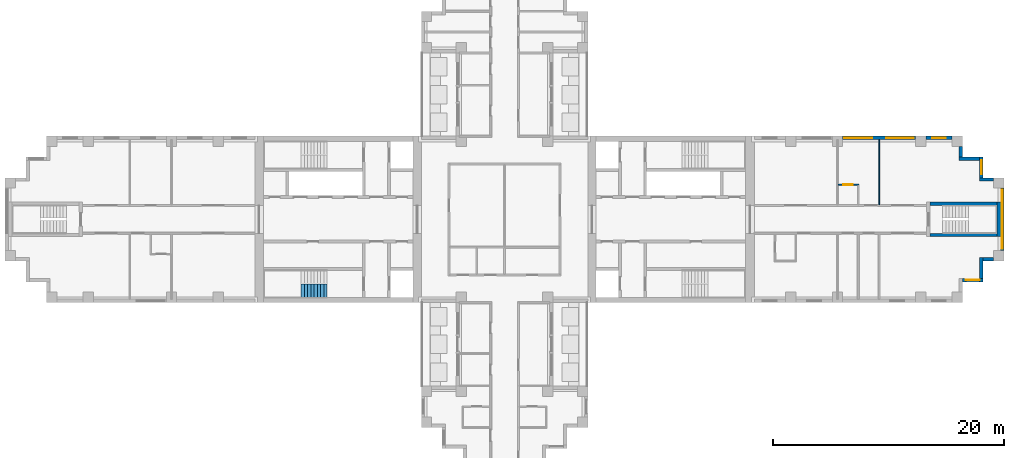
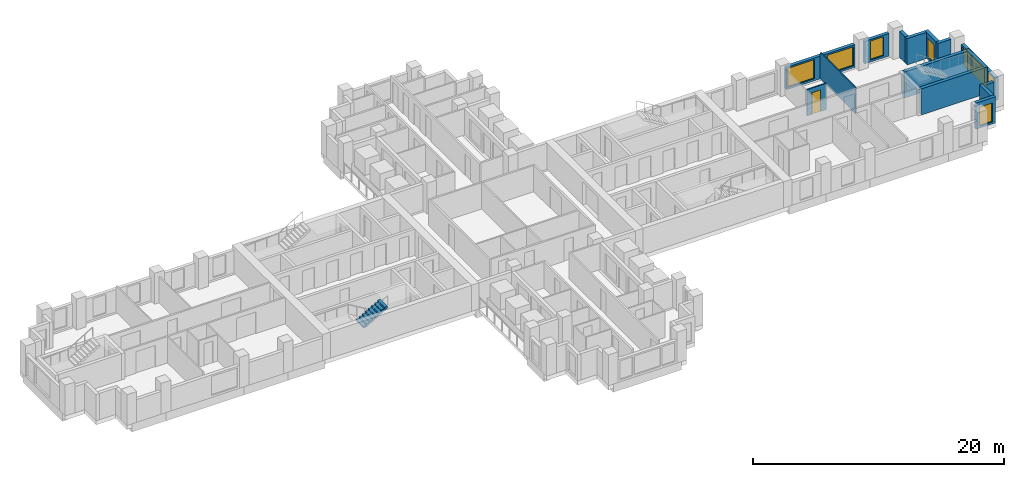
# One storey, part 9 of 12: 15 walls, 8 windows, 1 door, 1 stair flight, 9 openings, 1 element without a shape of its own.
"""IFC4 building model written with IfcOpenShell, lengths in metres."""

from ifc_helpers import new_model, si_unit, direction, frame, frame_2d, origin, place, context, subcontext, project, spatial, polyline, rectangle, outline, extrude, material, layer, layer_set, type_object, element, fill, aggregate, save


model = new_model("IFC4")

# Units and contexts
model_context = context("Model", 3, precision=1e-05, world=origin(), true_north=direction((0.0, 1.0)))
body_context = subcontext(model_context, "Body", "Model", "MODEL_VIEW")
ifc_project = project(units=[si_unit("LENGTHUNIT", "METRE"), si_unit("AREAUNIT", "SQUARE_METRE"), si_unit("VOLUMEUNIT", "CUBIC_METRE"), si_unit("PLANEANGLEUNIT", "RADIAN"), si_unit("MASSUNIT", "GRAM", prefix="KILO")], contexts=[model_context])

# Site, building, storey
site_placement = place(None, origin())
site = spatial("IfcSite", under=ifc_project, at=site_placement, CompositionType="ELEMENT")
building_placement = place(site_placement, origin())
building = spatial("IfcBuilding", under=site, at=building_placement, Name="Fustian Cross Tower", CompositionType="ELEMENT")
storey_placement = place(building_placement, frame((0.0, 0.0, 159.300048828125)))
storey = spatial("IfcBuildingStorey", under=building, at=storey_placement, Name="L50", CompositionType="ELEMENT", Elevation=159.300048828125)

# Wall, opening, door
ifc_material_1 = material(Name="Plasterboard on steel stud", Category="steel")
ifc_layer_1 = layer(ifc_material_1, 0.10009765625)
ifc_layer_set_1 = layer_set([ifc_layer_1], Name="Plasterboard on steel stud")
wall_type_1 = type_object("IfcWallType", Name="PARTITION 100 STUD", PredefinedType="PARTITIONING", material=ifc_layer_set_1)
wall_1_placement = place(storey_placement, frame((28.862548828125, 3.0, 0.0), z_axis=(0.0, 0.0, 1.0), x_axis=(1.0, 0.0, 0.0)))
wall_1 = element("IfcWall", 1, at=wall_1_placement, inside=storey, type_object=wall_type_1, Name="Partition 53", PredefinedType="PARTITIONING", context=body_context, shape_type="SweptSolid", body=[
    extrude(rectangle(XDim=1.787353515625, YDim=0.10009765625, at=frame_2d((0.8935546875, 0.0))), origin(), (0.0, 0.0, 1.0), 2.550048828125),
])
opening_1_placement = place(wall_1_placement, frame((0.4375, 0.0, 0.0)))
opening_1 = element("IfcOpeningElement", 2, at=opening_1_placement, cuts=wall_1, Name="Opening D22007", PredefinedType="OPENING", context=body_context, shape_type="SweptSolid", body=[
    extrude(rectangle(XDim=0.800048828125, YDim=2.10009765625, at=frame_2d((0.39990234375, 1.050048828125))), frame((0.0, 0.06005859375, 0.0), z_axis=(0.0, -1.0, 0.0), x_axis=(1.0, 0.0, 0.0)), (0.0, 0.0, 1.0), 0.1201171875),
])
ifc_material_2 = material(Name="Painted timber", Category="wood")
door_type = type_object("IfcDoorType", Name="SWING DOOR 800", OperationType="SINGLE_SWING_LEFT", PredefinedType="DOOR", material=ifc_material_2)
door_placement = place(opening_1_placement, frame((0.800048828125, 0.0, 0.0), z_axis=(0.0, 0.0, 1.0), x_axis=(-1.0, 0.0, 0.0)))
door = element("IfcDoor", 3, at=door_placement, inside=storey, type_object=door_type, Name="Door D22007", OperationType="SINGLE_SWING_LEFT", OverallHeight=2.10009765625, OverallWidth=0.800048828125, PredefinedType="DOOR", context=body_context, shape_type="SweptSolid", body=[
    extrude(rectangle(XDim=0.800048828125, YDim=2.10009765625, at=frame_2d((0.39990234375, 1.050048828125))), frame((0.0, 0.02490234375, 0.0), z_axis=(0.0, -1.0, 0.0), x_axis=(1.0, 0.0, 0.0)), (0.0, 0.0, 1.0), 0.050048828125),
])
fill(opening_1, door)

# Walls
wall_2_placement = place(storey_placement, frame((32.39990234375, 1.27490234375, 0.0), z_axis=(0.0, 0.0, 1.0), x_axis=(0.0, 1.0, 0.0)))
element("IfcWall", 4, at=wall_2_placement, inside=storey, type_object=wall_type_1, Name="Partition 57", PredefinedType="PARTITIONING", context=body_context, shape_type="SweptSolid", body=[
    extrude(rectangle(XDim=5.625, YDim=0.10009765625, at=frame_2d((2.8125, 0.0))), origin(), (0.0, 0.0, 1.0), 2.550048828125),
])
ifc_material_3 = material(Name="Concrete C50/60", Category="concrete")
ifc_layer_2 = layer(ifc_material_3, 0.300048828125)
ifc_layer_set_2 = layer_set([ifc_layer_2], Name="Concrete C50/60")
wall_type_2 = type_object("IfcWallType", Name="STAIR ENCLOSURE WALL 300 C50/60", PredefinedType="SHEAR", material=ifc_layer_set_2)
wall_3_placement = place(storey_placement, frame((42.75, -1.5, 0.0), z_axis=(0.0, 0.0, 1.0), x_axis=(0.0, 1.0, 0.0)))
element("IfcWall", 5, at=wall_3_placement, inside=storey, type_object=wall_type_2, Name="Stair enclosure wall", PredefinedType="SHEAR", context=body_context, shape_type="SweptSolid", body=[
    extrude(rectangle(XDim=3.0, YDim=0.300048828125, at=frame_2d((1.5, 0.0))), origin(), (0.0, 0.0, 1.0), 2.550048828125),
])
for number, where, z_axis, x_axis, name in (
    (6, (36.800048828125, -1.35009765625, 0.0), (0.0, 0.0, 1.0), (1.0, 0.0, 0.0), "Stair enclosure wall"),
    (7, (36.800048828125, 1.35009765625, 0.0), (0.0, 0.0, 1.0), (1.0, 0.0, 0.0), "Stair enclosure wall"),
):
    element("IfcWall", number, at=place(storey_placement, frame(where, z_axis=z_axis, x_axis=x_axis)), inside=storey, type_object=wall_type_2, Name=name, PredefinedType="SHEAR", context=body_context, shape_type="SweptSolid", body=[
        extrude(rectangle(XDim=5.800048828125, YDim=0.300048828125, at=frame_2d((2.89990234375, 0.0))), origin(), (0.0, 0.0, 1.0), 2.550048828125),
    ])

# Wall, opening, window
ifc_material_4 = material(Name="Dark aluminium cladding on insulated backing wall", Category="aluminium")
ifc_layer_3 = layer(ifc_material_4, 0.300048828125)
ifc_layer_set_3 = layer_set([ifc_layer_3], Name="Dark aluminium cladding on insulated backing wall")
wall_type_3 = type_object("IfcWallType", Name="XW1 EXTERNAL WALL 300", PredefinedType="SOLIDWALL", material=ifc_layer_set_3)
wall_4_placement = place(storey_placement, frame((39.60009765625, -5.25, 0.0), z_axis=(0.0, 0.0, 1.0), x_axis=(1.0, 0.0, 0.0)))
wall_4 = element("IfcWall", 8, at=wall_4_placement, inside=storey, type_object=wall_type_3, Name="External wall", PredefinedType="SOLIDWALL", context=body_context, shape_type="SweptSolid", body=[
    extrude(rectangle(XDim=1.7998046875, YDim=0.300048828125, at=frame_2d((0.89990234375, 0.0))), origin(), (0.0, 0.0, 1.0), 2.550048828125),
])
opening_2_placement = place(wall_4_placement, frame((0.300048828125, 0.0, 0.199951171875)))
opening_2 = element("IfcOpeningElement", 9, at=opening_2_placement, cuts=wall_4, Name="Opening WN3", PredefinedType="OPENING", context=body_context, shape_type="SweptSolid", body=[
    extrude(rectangle(XDim=1.199951171875, YDim=1.85009765625, at=frame_2d((0.60009765625, 0.925048828125))), frame((0.0, 0.159912109375, 0.0), z_axis=(0.0, -1.0, 0.0), x_axis=(1.0, 0.0, 0.0)), (0.0, 0.0, 1.0), 0.320068359375),
])
ifc_material_5 = material(Name="Dark anodised aluminium and double glazing", Category="aluminium")
window_type_1 = type_object("IfcWindowType", Name="WN3 WINDOW 1200X1850", PartitioningType="SINGLE_PANEL", PredefinedType="WINDOW", material=ifc_material_5)
window_1_placement = place(opening_2_placement, origin())
window_1 = element("IfcWindow", 10, at=window_1_placement, inside=storey, type_object=window_type_1, Name="Window", OverallHeight=1.85009765625, OverallWidth=1.199951171875, PartitioningType="SINGLE_PANEL", PredefinedType="WINDOW", context=body_context, shape_type="SweptSolid", body=[
    extrude(rectangle(XDim=1.199951171875, YDim=1.85009765625, at=frame_2d((0.60009765625, 0.925048828125))), frame((0.0, 0.030029296875, 0.0), z_axis=(0.0, -1.0, 0.0), x_axis=(1.0, 0.0, 0.0)), (0.0, 0.0, 1.0), 0.06005859375),
])
fill(opening_2, window_1)

# Walls
wall_5_placement = place(storey_placement, frame((41.25, -5.10009765625, 0.0), z_axis=(0.0, 0.0, 1.0), x_axis=(0.0, 1.0, 0.0)))
element("IfcWall", 11, at=wall_5_placement, inside=storey, type_object=wall_type_3, Name="External wall", PredefinedType="SOLIDWALL", context=body_context, shape_type="SweptSolid", body=[
    extrude(rectangle(XDim=1.800048828125, YDim=0.300048828125, at=frame_2d((0.89990234375, 0.0))), origin(), (0.0, 0.0, 1.0), 2.550048828125),
])
wall_6_placement = place(storey_placement, frame((41.39990234375, -3.449951171875, 0.0), z_axis=(0.0, 0.0, 1.0), x_axis=(1.0, 0.0, 0.0)))
element("IfcWall", 12, at=wall_6_placement, inside=storey, type_object=wall_type_3, Name="External wall", PredefinedType="SOLIDWALL", context=body_context, shape_type="SweptSolid", body=[
    extrude(rectangle(XDim=0.900146484375, YDim=0.300048828125, at=frame_2d((0.4501953125, 0.0))), origin(), (0.0, 0.0, 1.0), 2.550048828125),
])

# Wall, openings, windows
wall_7_placement = place(storey_placement, frame((43.050048828125, -2.699951171875, 0.0), z_axis=(0.0, 0.0, 1.0), x_axis=(0.0, 1.0, 0.0)))
wall_7 = element("IfcWall", 13, at=wall_7_placement, inside=storey, type_object=wall_type_3, Name="External wall", PredefinedType="SOLIDWALL", context=body_context, shape_type="SweptSolid", body=[
    extrude(rectangle(XDim=5.39990234375, YDim=0.300048828125, at=frame_2d((2.699951171875, 0.0))), origin(), (0.0, 0.0, 1.0), 2.199951171875),
])
opening_3_placement = place(wall_7_placement, frame((1.5, 0.0, 0.199951171875)))
opening_3 = element("IfcOpeningElement", 14, at=opening_3_placement, cuts=wall_7, Name="Opening WN1", PredefinedType="OPENING", context=body_context, shape_type="SweptSolid", body=[
    extrude(rectangle(XDim=2.39990234375, YDim=1.85009765625, at=frame_2d((1.199951171875, 0.925048828125))), frame((0.0, 0.159912109375, 0.0), z_axis=(0.0, -1.0, 0.0), x_axis=(1.0, 0.0, 0.0)), (0.0, 0.0, 1.0), 0.320068359375),
])
opening_4_placement = place(wall_7_placement, frame((0.14990234375, 0.0, 0.199951171875)))
opening_4 = element("IfcOpeningElement", 15, at=opening_4_placement, cuts=wall_7, Name="Opening WN3", PredefinedType="OPENING", context=body_context, shape_type="SweptSolid", body=[
    extrude(rectangle(XDim=1.199951171875, YDim=1.85009765625, at=frame_2d((0.60009765625, 0.925048828125))), frame((0.0, 0.159912109375, 0.0), z_axis=(0.0, -1.0, 0.0), x_axis=(1.0, 0.0, 0.0)), (0.0, 0.0, 1.0), 0.320068359375),
])
opening_5_placement = place(wall_7_placement, frame((4.050048828125, 0.0, 0.199951171875)))
opening_5 = element("IfcOpeningElement", 16, at=opening_5_placement, cuts=wall_7, Name="Opening WN3", PredefinedType="OPENING", context=body_context, shape_type="SweptSolid", body=[
    extrude(rectangle(XDim=1.199951171875, YDim=1.85009765625, at=frame_2d((0.60009765625, 0.925048828125))), frame((0.0, 0.159912109375, 0.0), z_axis=(0.0, -1.0, 0.0), x_axis=(1.0, 0.0, 0.0)), (0.0, 0.0, 1.0), 0.320068359375),
])
ifc_material_6 = material(Name="Dark anodised aluminium and double glazing", Category="aluminium")
window_type_2 = type_object("IfcWindowType", Name="WN1 WINDOW 2400X1850", PartitioningType="SINGLE_PANEL", PredefinedType="WINDOW", material=ifc_material_6)
window_2_placement = place(opening_3_placement, origin())
window_2 = element("IfcWindow", 17, at=window_2_placement, inside=storey, type_object=window_type_2, Name="Window", OverallHeight=1.85009765625, OverallWidth=2.39990234375, PartitioningType="SINGLE_PANEL", PredefinedType="WINDOW", context=body_context, shape_type="SweptSolid", body=[
    extrude(rectangle(XDim=2.39990234375, YDim=1.85009765625, at=frame_2d((1.199951171875, 0.925048828125))), frame((0.0, 0.030029296875, 0.0), z_axis=(0.0, -1.0, 0.0), x_axis=(1.0, 0.0, 0.0)), (0.0, 0.0, 1.0), 0.06005859375),
])
fill(opening_3, window_2)
window_3_placement = place(opening_4_placement, origin())
window_3 = element("IfcWindow", 18, at=window_3_placement, inside=storey, type_object=window_type_1, Name="Window", OverallHeight=1.85009765625, OverallWidth=1.199951171875, PartitioningType="SINGLE_PANEL", PredefinedType="WINDOW", context=body_context, shape_type="SweptSolid", body=[
    extrude(rectangle(XDim=1.199951171875, YDim=1.85009765625, at=frame_2d((0.60009765625, 0.925048828125))), frame((0.0, 0.030029296875, 0.0), z_axis=(0.0, -1.0, 0.0), x_axis=(1.0, 0.0, 0.0)), (0.0, 0.0, 1.0), 0.06005859375),
])
fill(opening_4, window_3)
window_4_placement = place(opening_5_placement, origin())
window_4 = element("IfcWindow", 19, at=window_4_placement, inside=storey, type_object=window_type_1, Name="Window", OverallHeight=1.85009765625, OverallWidth=1.199951171875, PartitioningType="SINGLE_PANEL", PredefinedType="WINDOW", context=body_context, shape_type="SweptSolid", body=[
    extrude(rectangle(XDim=1.199951171875, YDim=1.85009765625, at=frame_2d((0.60009765625, 0.925048828125))), frame((0.0, 0.030029296875, 0.0), z_axis=(0.0, -1.0, 0.0), x_axis=(1.0, 0.0, 0.0)), (0.0, 0.0, 1.0), 0.06005859375),
])
fill(opening_5, window_4)

# Wall
wall_8_placement = place(storey_placement, frame((42.300048828125, 3.449951171875, 0.0), z_axis=(0.0, 0.0, 1.0), x_axis=(-1.0, 0.0, 0.0)))
element("IfcWall", 20, at=wall_8_placement, inside=storey, type_object=wall_type_3, Name="External wall", PredefinedType="SOLIDWALL", context=body_context, shape_type="SweptSolid", body=[
    extrude(rectangle(XDim=1.199951171875, YDim=0.300048828125, at=frame_2d((0.60009765625, 0.0))), origin(), (0.0, 0.0, 1.0), 2.550048828125),
])

# Wall, opening, window
wall_9_placement = place(storey_placement, frame((41.25, 3.60009765625, 0.0), z_axis=(0.0, 0.0, 1.0), x_axis=(0.0, 1.0, 0.0)))
wall_9 = element("IfcWall", 21, at=wall_9_placement, inside=storey, type_object=wall_type_3, Name="External wall", PredefinedType="SOLIDWALL", context=body_context, shape_type="SweptSolid", body=[
    extrude(rectangle(XDim=1.7998046875, YDim=0.300048828125, at=frame_2d((0.89990234375, 0.0))), origin(), (0.0, 0.0, 1.0), 2.550048828125),
])
opening_6_placement = place(wall_9_placement, frame((0.300048828125, 0.0, 0.199951171875)))
opening_6 = element("IfcOpeningElement", 22, at=opening_6_placement, cuts=wall_9, Name="Opening WN3", PredefinedType="OPENING", context=body_context, shape_type="SweptSolid", body=[
    extrude(rectangle(XDim=1.199951171875, YDim=1.85009765625, at=frame_2d((0.60009765625, 0.925048828125))), frame((0.0, 0.159912109375, 0.0), z_axis=(0.0, -1.0, 0.0), x_axis=(1.0, 0.0, 0.0)), (0.0, 0.0, 1.0), 0.320068359375),
])
window_5_placement = place(opening_6_placement, origin())
window_5 = element("IfcWindow", 23, at=window_5_placement, inside=storey, type_object=window_type_1, Name="Window", OverallHeight=1.85009765625, OverallWidth=1.199951171875, PartitioningType="SINGLE_PANEL", PredefinedType="WINDOW", context=body_context, shape_type="SweptSolid", body=[
    extrude(rectangle(XDim=1.199951171875, YDim=1.85009765625, at=frame_2d((0.60009765625, 0.925048828125))), frame((0.0, 0.030029296875, 0.0), z_axis=(0.0, -1.0, 0.0), x_axis=(1.0, 0.0, 0.0)), (0.0, 0.0, 1.0), 0.06005859375),
])
fill(opening_6, window_5)

# Walls
wall_10_placement = place(storey_placement, frame((41.10009765625, 5.25, 0.0), z_axis=(0.0, 0.0, 1.0), x_axis=(-1.0, 0.0, 0.0)))
element("IfcWall", 24, at=wall_10_placement, inside=storey, type_object=wall_type_3, Name="External wall", PredefinedType="SOLIDWALL", context=body_context, shape_type="SweptSolid", body=[
    extrude(rectangle(XDim=1.800048828125, YDim=0.300048828125, at=frame_2d((0.89990234375, 0.0))), origin(), (0.0, 0.0, 1.0), 2.550048828125),
])
wall_11_placement = place(storey_placement, frame((39.449951171875, 5.39990234375, 0.0), z_axis=(0.0, 0.0, 1.0), x_axis=(0.0, 1.0, 0.0)))
element("IfcWall", 25, at=wall_11_placement, inside=storey, type_object=wall_type_3, Name="External wall", PredefinedType="SOLIDWALL", context=body_context, shape_type="SweptSolid", body=[
    extrude(rectangle(XDim=0.900146484375, YDim=0.300048828125, at=frame_2d((0.4501953125, 0.0))), origin(), (0.0, 0.0, 1.0), 2.550048828125),
])

# Wall, opening, window
wall_12_placement = place(storey_placement, frame((38.699951171875, 7.050048828125, 0.0), z_axis=(0.0, 0.0, 1.0), x_axis=(-1.0, 0.0, 0.0)))
wall_12 = element("IfcWall", 26, at=wall_12_placement, inside=storey, type_object=wall_type_3, Name="External wall", PredefinedType="SOLIDWALL", context=body_context, shape_type="SweptSolid", body=[
    extrude(rectangle(XDim=2.25, YDim=0.300048828125, at=frame_2d((1.125, 0.0))), origin(), (0.0, 0.0, 1.0), 2.199951171875),
])
opening_7_placement = place(wall_12_placement, frame((0.52490234375, 0.0, 0.199951171875)))
opening_7 = element("IfcOpeningElement", 27, at=opening_7_placement, cuts=wall_12, Name="Opening WN3", PredefinedType="OPENING", context=body_context, shape_type="SweptSolid", body=[
    extrude(rectangle(XDim=1.199951171875, YDim=1.85009765625, at=frame_2d((0.60009765625, 0.925048828125))), frame((0.0, 0.159912109375, 0.0), z_axis=(0.0, -1.0, 0.0), x_axis=(1.0, 0.0, 0.0)), (0.0, 0.0, 1.0), 0.320068359375),
])
window_6_placement = place(opening_7_placement, origin())
window_6 = element("IfcWindow", 28, at=window_6_placement, inside=storey, type_object=window_type_1, Name="Window", OverallHeight=1.85009765625, OverallWidth=1.199951171875, PartitioningType="SINGLE_PANEL", PredefinedType="WINDOW", context=body_context, shape_type="SweptSolid", body=[
    extrude(rectangle(XDim=1.199951171875, YDim=1.85009765625, at=frame_2d((0.60009765625, 0.925048828125))), frame((0.0, 0.030029296875, 0.0), z_axis=(0.0, -1.0, 0.0), x_axis=(1.0, 0.0, 0.0)), (0.0, 0.0, 1.0), 0.06005859375),
])
fill(opening_7, window_6)

# Wall, openings, windows
wall_13_placement = place(storey_placement, frame((35.550048828125, 7.050048828125, 0.0), z_axis=(0.0, 0.0, 1.0), x_axis=(-1.0, 0.0, 0.0)))
wall_13 = element("IfcWall", 29, at=wall_13_placement, inside=storey, type_object=wall_type_3, Name="External wall", PredefinedType="SOLIDWALL", context=body_context, shape_type="SweptSolid", body=[
    extrude(rectangle(XDim=6.300048828125, YDim=0.300048828125, at=frame_2d((3.14990234375, 0.0))), origin(), (0.0, 0.0, 1.0), 2.199951171875),
])
opening_8_placement = place(wall_13_placement, frame((0.14990234375, 0.0, 0.199951171875)))
opening_8 = element("IfcOpeningElement", 30, at=opening_8_placement, cuts=wall_13, Name="Opening WN1", PredefinedType="OPENING", context=body_context, shape_type="SweptSolid", body=[
    extrude(rectangle(XDim=2.39990234375, YDim=1.85009765625, at=frame_2d((1.199951171875, 0.925048828125))), frame((0.0, 0.159912109375, 0.0), z_axis=(0.0, -1.0, 0.0), x_axis=(1.0, 0.0, 0.0)), (0.0, 0.0, 1.0), 0.320068359375),
])
opening_9_placement = place(wall_13_placement, frame((3.75, 0.0, 0.199951171875)))
opening_9 = element("IfcOpeningElement", 31, at=opening_9_placement, cuts=wall_13, Name="Opening WN1", PredefinedType="OPENING", context=body_context, shape_type="SweptSolid", body=[
    extrude(rectangle(XDim=2.39990234375, YDim=1.85009765625, at=frame_2d((1.199951171875, 0.925048828125))), frame((0.0, 0.159912109375, 0.0), z_axis=(0.0, -1.0, 0.0), x_axis=(1.0, 0.0, 0.0)), (0.0, 0.0, 1.0), 0.320068359375),
])
window_7_placement = place(opening_8_placement, origin())
window_7 = element("IfcWindow", 32, at=window_7_placement, inside=storey, type_object=window_type_2, Name="Window", OverallHeight=1.85009765625, OverallWidth=2.39990234375, PartitioningType="SINGLE_PANEL", PredefinedType="WINDOW", context=body_context, shape_type="SweptSolid", body=[
    extrude(rectangle(XDim=2.39990234375, YDim=1.85009765625, at=frame_2d((1.199951171875, 0.925048828125))), frame((0.0, 0.030029296875, 0.0), z_axis=(0.0, -1.0, 0.0), x_axis=(1.0, 0.0, 0.0)), (0.0, 0.0, 1.0), 0.06005859375),
])
fill(opening_8, window_7)
window_8_placement = place(opening_9_placement, origin())
window_8 = element("IfcWindow", 33, at=window_8_placement, inside=storey, type_object=window_type_2, Name="Window", OverallHeight=1.85009765625, OverallWidth=2.39990234375, PartitioningType="SINGLE_PANEL", PredefinedType="WINDOW", context=body_context, shape_type="SweptSolid", body=[
    extrude(rectangle(XDim=2.39990234375, YDim=1.85009765625, at=frame_2d((1.199951171875, 0.925048828125))), frame((0.0, 0.030029296875, 0.0), z_axis=(0.0, -1.0, 0.0), x_axis=(1.0, 0.0, 0.0)), (0.0, 0.0, 1.0), 0.06005859375),
])
fill(opening_9, window_8)

# Stair, stair flight
ifc_material_7 = material(Name="Concrete C50/60", Category="concrete")
stair_type = type_object("IfcStairType", Name="STAIR 1150 HALF TURN", PredefinedType="HALF_TURN_STAIR", material=ifc_material_7)
stair_placement = place(storey_placement, origin())
stair = element("IfcStair", 34, at=stair_placement, inside=storey, type_object=stair_type, Name="Stair ST4", PredefinedType="HALF_TURN_STAIR")
ifc_material_8 = material(Name="Concrete C50/60", Category="concrete")
stair_flight_type = type_object("IfcStairFlightType", Name="STAIR FLIGHT 1150", PredefinedType="STRAIGHT", material=ifc_material_8)
stair_flight_placement = place(storey_placement, frame((-17.590087890625, -6.175048828125, 1.5), z_axis=(0.0, 0.0, 1.0), x_axis=(1.0, 0.0, 0.0)))
stair_flight = element("IfcStairFlight", 35, at=stair_flight_placement, type_object=stair_flight_type, Name="ST4 flight 2", NumberOfRisers=9, NumberOfTreads=8, PredefinedType="STRAIGHT", RiserHeight=0.166666667, TreadLength=0.28, context=body_context, shape_type="SweptSolid", body=[
    extrude(outline(polyline([(0.0, 0.0), (0.0, 0.166748046875), (0.280029296875, 0.166748046875), (0.280029296875, 0.333251953125), (0.56005859375, 0.333251953125), (0.56005859375, 0.5), (0.840087890625, 0.5), (0.840087890625, 0.666748046875), (1.1201171875, 0.666748046875), (1.1201171875, 0.833251953125), (1.39990234375, 0.833251953125), (1.39990234375, 1.0), (1.679931640625, 1.0), (1.679931640625, 1.166748046875), (1.9599609375, 1.166748046875), (1.9599609375, 1.333251953125), (2.239990234375, 1.333251953125), (2.239990234375, 1.5), (2.239990234375, 1.158935546875), (0.29296875, 0.0), (0.0, 0.0)])), frame((0.0, 0.574951171875, 0.0), z_axis=(0.0, -1.0, 0.0), x_axis=(1.0, 0.0, 0.0)), (0.0, 0.0, 1.0), 1.14990234375),
])
aggregate(stair, [stair_flight])

save(model, "model.ifc")
